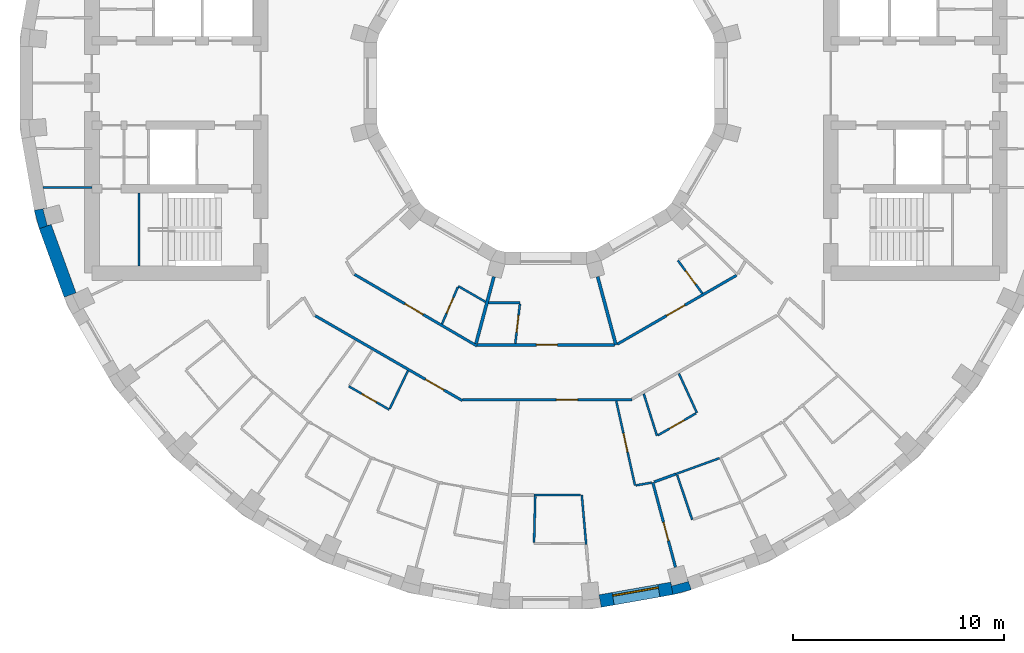
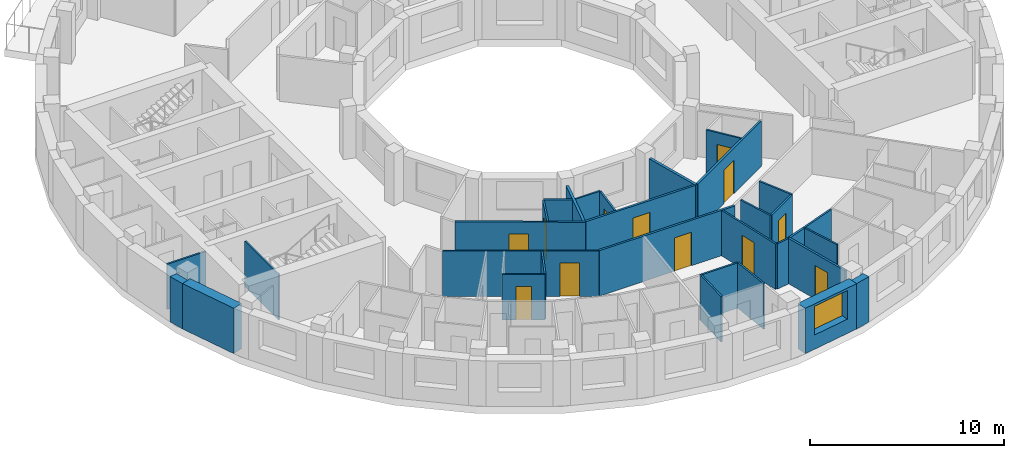
# One storey, part 5 of 14: 32 walls, 12 doors, 1 window, 13 openings.
"""IFC4 building model written with IfcOpenShell, lengths in metres."""

from ifc_helpers import new_model, si_unit, direction, frame, frame_2d, origin, place, context, subcontext, project, spatial, polyline, rectangle, outline, extrude, material, layer, layer_set, type_object, element, fill, save


model = new_model("IFC4")

# Units and contexts
model_context = context("Model", 3, precision=1e-05, world=origin(), true_north=direction((0.0, 1.0)))
body_context = subcontext(model_context, "Body", "Model", "MODEL_VIEW")
ifc_project = project(units=[si_unit("LENGTHUNIT", "METRE"), si_unit("AREAUNIT", "SQUARE_METRE"), si_unit("VOLUMEUNIT", "CUBIC_METRE"), si_unit("PLANEANGLEUNIT", "RADIAN"), si_unit("MASSUNIT", "GRAM", prefix="KILO")], contexts=[model_context])

# Site, building, storey
site_placement = place(None, origin())
site = spatial("IfcSite", under=ifc_project, at=site_placement, CompositionType="ELEMENT")
building_placement = place(site_placement, origin())
building = spatial("IfcBuilding", under=site, at=building_placement, Name="Saqina Gate Tower", CompositionType="ELEMENT")
storey_placement = place(building_placement, frame((0.0, 0.0, 210.300048828125)))
storey = spatial("IfcBuildingStorey", under=building, at=storey_placement, Name="L60", CompositionType="ELEMENT", Elevation=210.300048828125)

# Walls
ifc_material_1 = material(Name="Brick masonry (buff)", Category="masonry")
wall_type_1 = type_object("IfcWallType", Name="BRICK PIER COPING BUFF", PredefinedType="SOLIDWALL", material=ifc_material_1)
wall_1_placement = place(storey_placement, origin())
element("IfcWall", 1, at=wall_1_placement, inside=storey, type_object=wall_type_1, Name="Pier cap L60 column 20", PredefinedType="SOLIDWALL", context=body_context, shape_type="SweptSolid", body=[
    extrude(outline(polyline([(-24.22705078125, -6.0234375), (-23.992919921875, -6.897216796875), (-23.428955078125, -6.69189453125), (-23.610107421875, -6.740478515625), (-23.81689453125, -5.967529296875), (-23.635986328125, -5.919189453125), (-24.22705078125, -6.0234375)])), origin(), (0.0, 0.0, 1.0), 2.849853515625),
])
wall_2_placement = place(storey_placement, origin())
element("IfcWall", 2, at=wall_2_placement, inside=storey, type_object=wall_type_1, Name="Pier cap L60 column 29", PredefinedType="SOLIDWALL", context=body_context, shape_type="SweptSolid", body=[
    extrude(outline(polyline([(6.0234375, -24.22705078125), (6.897216796875, -23.992919921875), (6.69189453125, -23.428955078125), (6.740478515625, -23.610107421875), (5.967529296875, -23.81689453125), (5.919189453125, -23.635986328125), (6.0234375, -24.22705078125)])), origin(), (0.0, 0.0, 1.0), 2.849853515625),
])
ifc_material_2 = material(Name="Gypsum board on steel studs", Category="steel")
ifc_layer_1 = layer(ifc_material_2, 0.10009765625)
ifc_layer_set_1 = layer_set([ifc_layer_1], Name="CORE PARTITION")
wall_type_2 = type_object("IfcWallType", Name="CORE PARTITION", PredefinedType="PARTITIONING", material=ifc_layer_set_1)
wall_3_placement = place(storey_placement, frame((-21.5, -4.949951171875, 0.0), z_axis=(0.0, 0.0, 1.0), x_axis=(-1.0, 0.0, 0.0)))
element("IfcWall", 3, at=wall_3_placement, inside=storey, type_object=wall_type_2, Name="L60-CP-W03", PredefinedType="PARTITIONING", context=body_context, shape_type="SweptSolid", body=[
    extrude(rectangle(XDim=2.306884765625, YDim=0.10009765625, at=frame_2d((1.1533203125, 0.0))), origin(), (0.0, 0.0, 1.0), 2.849853515625),
])

# Wall, opening, window
ifc_material_3 = material(Name="Brick masonry (buff)", Category="masonry")
ifc_layer_2 = layer(ifc_material_3, 0.60009765625)
ifc_layer_set_2 = layer_set([ifc_layer_2], Name="FW-BRICK-BUFF")
wall_type_3 = type_object("IfcWallType", Name="FW-BRICK-BUFF", PredefinedType="SOLIDWALL", material=ifc_layer_set_2)
wall_4_placement = place(storey_placement, frame((2.573974609375, -24.530517578125, 0.0), z_axis=(0.0, 0.0, 1.0), x_axis=(0.984814892183, 0.173607684551, 0.0)))
wall_4 = element("IfcWall", 4, at=wall_4_placement, inside=storey, type_object=wall_type_3, Name="Facade wall L60 facet 28", PredefinedType="SOLIDWALL", context=body_context, shape_type="SweptSolid", body=[
    extrude(rectangle(XDim=3.44970703125, YDim=0.60009765625, at=frame_2d((1.724853515625, 0.0))), origin(), (0.0, 0.0, 1.0), 2.849853515625),
])
opening_1_placement = place(wall_4_placement, frame((0.625, 0.0, 0.89990234375)))
opening_1 = element("IfcOpeningElement", 5, at=opening_1_placement, cuts=wall_4, Name="Opening G18-W17", PredefinedType="OPENING", context=body_context, shape_type="SweptSolid", body=[
    extrude(rectangle(XDim=2.199951171875, YDim=1.800048828125, at=frame_2d((1.10009765625, 0.89990234375))), frame((0.0, 0.31201171875, 0.0), z_axis=(0.0, -1.0, 0.0), x_axis=(1.0, 0.0, 0.0)), (0.0, 0.0, 1.0), 0.6240234375),
])
ifc_material_4 = material(Name="Aluminium glazing", Category="aluminium")
window_type = type_object("IfcWindowType", Name="WN-C", PartitioningType="SINGLE_PANEL", PredefinedType="WINDOW", material=ifc_material_4)
window_placement = place(opening_1_placement, origin())
window = element("IfcWindow", 6, at=window_placement, inside=storey, type_object=window_type, Name="Window L60 facet 28", OverallHeight=1.800048828125, OverallWidth=2.199951171875, PartitioningType="SINGLE_PANEL", PredefinedType="WINDOW", context=body_context, shape_type="SweptSolid", body=[
    extrude(rectangle(XDim=2.199951171875, YDim=1.800048828125, at=frame_2d((1.10009765625, 0.89990234375))), frame((0.0, 0.179931640625, 0.0), z_axis=(0.0, -1.0, 0.0), x_axis=(1.0, 0.0, 0.0)), (0.0, 0.0, 1.0), 0.06005859375),
])
fill(opening_1, window)

# Walls
ifc_material_5 = material(Name="Glazed ceramic tile (white)", Category="ceramic")
ifc_layer_3 = layer(ifc_material_5, 0.60009765625)
ifc_layer_set_3 = layer_set([ifc_layer_3], Name="FW-TILE-WH")
wall_type_4 = type_object("IfcWallType", Name="FW-TILE-WH", PredefinedType="SOLIDWALL", material=ifc_layer_set_3)
wall_5_placement = place(storey_placement, frame((-23.7109375, -6.79443359375, 0.0), z_axis=(0.0, 0.0, 1.0), x_axis=(0.342032843455, -0.93968799822, 0.0)))
element("IfcWall", 7, at=wall_5_placement, inside=storey, type_object=wall_type_4, Name="Facade wall L60 facet 20", PredefinedType="SOLIDWALL", context=body_context, shape_type="SweptSolid", body=[
    extrude(rectangle(XDim=3.44970703125, YDim=0.60009765625, at=frame_2d((1.724853515625, 0.0))), origin(), (0.0, 0.0, 1.0), 2.849853515625),
])
ifc_material_6 = material(Name="Gypsum board on steel studs, 100 mm", Category="steel")
ifc_layer_4 = layer(ifc_material_6, 0.10009765625)
ifc_layer_set_4 = layer_set([ifc_layer_4], Name="PARTITION 100")
wall_type_5 = type_object("IfcWallType", Name="PARTITION 100", PredefinedType="PARTITIONING", material=ifc_layer_set_4)
wall_6_placement = place(storey_placement, frame((1.705078125, -19.505126953125, 0.0), z_axis=(0.0, 0.0, 1.0), x_axis=(0.087875685813, -0.996131449078, 0.0)))
element("IfcWall", 8, at=wall_6_placement, inside=storey, type_object=wall_type_5, Name="PARTITION PW3-01", PredefinedType="PARTITIONING", context=body_context, shape_type="SweptSolid", body=[
    extrude(rectangle(XDim=2.358642578125, YDim=0.10009765625, at=frame_2d((1.17919921875, 0.0))), origin(), (0.0, 0.0, 1.0), 2.849853515625),
])

# Wall, opening, door
wall_7_placement = place(storey_placement, frame((3.33837890625, -15.06103515625, 0.0), z_axis=(0.0, 0.0, 1.0), x_axis=(0.216772684832, -0.976222107469, 0.0)))
wall_7 = element("IfcWall", 9, at=wall_7_placement, inside=storey, type_object=wall_type_5, Name="PARTITION PW3-03", PredefinedType="PARTITIONING", context=body_context, shape_type="SweptSolid", body=[
    extrude(rectangle(XDim=4.09619140625, YDim=0.10009765625, at=frame_2d((2.048095703125, 0.0))), origin(), (0.0, 0.0, 1.0), 2.849853515625),
])
opening_2_placement = place(wall_7_placement, frame((1.56640625, 0.0, 0.0)))
opening_2 = element("IfcOpeningElement", 10, at=opening_2_placement, cuts=wall_7, Name="Opening G18-D46", PredefinedType="OPENING", context=body_context, shape_type="SweptSolid", body=[
    extrude(rectangle(XDim=0.89990234375, YDim=2.10009765625, at=frame_2d((0.449951171875, 1.050048828125))), frame((0.0, 0.06201171875, 0.0), z_axis=(0.0, -1.0, 0.0), x_axis=(1.0, 0.0, 0.0)), (0.0, 0.0, 1.0), 0.1240234375),
])
ifc_material_7 = material(Name="Timber door leaf, 900 mm", Category="wood")
door_type_1 = type_object("IfcDoorType", Name="DOOR 900 TIMBER", OperationType="SINGLE_SWING_LEFT", PredefinedType="DOOR", material=ifc_material_7)
door_1_placement = place(opening_2_placement, frame((0.89990234375, 0.0, 0.0), z_axis=(0.0, 0.0, 1.0), x_axis=(-1.0, 0.0, 0.0)))
door_1 = element("IfcDoor", 11, at=door_1_placement, inside=storey, type_object=door_type_1, Name="DOOR G18-D46", OperationType="SINGLE_SWING_RIGHT", OverallHeight=2.10009765625, OverallWidth=0.89990234375, PredefinedType="DOOR", context=body_context, shape_type="SweptSolid", body=[
    extrude(rectangle(XDim=0.89990234375, YDim=2.10009765625, at=frame_2d((0.449951171875, 1.050048828125))), frame((0.0, 0.02490234375, 0.0), z_axis=(0.0, -1.0, 0.0), x_axis=(1.0, 0.0, 0.0)), (0.0, 0.0, 1.0), 0.050048828125),
])
fill(opening_2, door_1)

# Walls
wall_8_placement = place(storey_placement, frame((4.638916015625, -14.712646484375, 0.0), z_axis=(0.0, 0.0, 1.0), x_axis=(0.300689491928, -0.953722092354, 0.0)))
element("IfcWall", 12, at=wall_8_placement, inside=storey, type_object=wall_type_5, Name="PARTITION PW3-05", PredefinedType="PARTITIONING", context=body_context, shape_type="SweptSolid", body=[
    extrude(rectangle(XDim=2.089111328125, YDim=0.10009765625, at=frame_2d((1.04443359375, 0.0))), origin(), (0.0, 0.0, 1.0), 2.849853515625),
])
wall_9_placement = place(storey_placement, frame((6.222900390625, -18.558349609375, 0.0), z_axis=(0.0, 0.0, 1.0), x_axis=(0.318223462583, -0.948015731864, 0.0)))
element("IfcWall", 13, at=wall_9_placement, inside=storey, type_object=wall_type_5, Name="PARTITION PW3-06", PredefinedType="PARTITIONING", context=body_context, shape_type="SweptSolid", body=[
    extrude(rectangle(XDim=2.238037109375, YDim=0.10009765625, at=frame_2d((1.119140625, 0.0))), origin(), (0.0, 0.0, 1.0), 2.849853515625),
])
wall_10_placement = place(storey_placement, frame((6.303955078125, -13.7529296875, 0.0), z_axis=(0.0, 0.0, 1.0), x_axis=(0.41684777826, -0.90897630869, 0.0)))
element("IfcWall", 14, at=wall_10_placement, inside=storey, type_object=wall_type_5, Name="PARTITION PW3-08", PredefinedType="PARTITIONING", context=body_context, shape_type="SweptSolid", body=[
    extrude(rectangle(XDim=2.04638671875, YDim=0.10009765625, at=frame_2d((1.023193359375, 0.0))), origin(), (0.0, 0.0, 1.0), 2.849853515625),
])

# Wall, opening, door
wall_11_placement = place(storey_placement, frame((6.2548828125, -8.39697265625, 0.0), z_axis=(0.0, 0.0, 1.0), x_axis=(0.597394562497, -0.801947465049, 0.0)))
wall_11 = element("IfcWall", 15, at=wall_11_placement, inside=storey, type_object=wall_type_5, Name="PARTITION PW3-13", PredefinedType="PARTITIONING", context=body_context, shape_type="SweptSolid", body=[
    extrude(rectangle(XDim=1.951416015625, YDim=0.10009765625, at=frame_2d((0.9755859375, 0.0))), origin(), (0.0, 0.0, 1.0), 2.849853515625),
])
opening_3_placement = place(wall_11_placement, frame((0.60693359375, 0.0, 0.0)))
opening_3 = element("IfcOpeningElement", 16, at=opening_3_placement, cuts=wall_11, Name="Opening G18-D53", PredefinedType="OPENING", context=body_context, shape_type="SweptSolid", body=[
    extrude(rectangle(XDim=0.800048828125, YDim=2.10009765625, at=frame_2d((0.39990234375, 1.050048828125))), frame((0.0, 0.06201171875, 0.0), z_axis=(0.0, -1.0, 0.0), x_axis=(1.0, 0.0, 0.0)), (0.0, 0.0, 1.0), 0.1240234375),
])
ifc_material_8 = material(Name="Timber door leaf, 800 mm", Category="wood")
door_type_2 = type_object("IfcDoorType", Name="DOOR 800 TIMBER", OperationType="SINGLE_SWING_LEFT", PredefinedType="DOOR", material=ifc_material_8)
door_2_placement = place(opening_3_placement, frame((0.800048828125, 0.0, 0.0), z_axis=(0.0, 0.0, 1.0), x_axis=(-1.0, 0.0, 0.0)))
door_2 = element("IfcDoor", 17, at=door_2_placement, inside=storey, type_object=door_type_2, Name="DOOR G18-D53", OperationType="SINGLE_SWING_LEFT", OverallHeight=2.10009765625, OverallWidth=0.800048828125, PredefinedType="DOOR", context=body_context, shape_type="SweptSolid", body=[
    extrude(rectangle(XDim=0.800048828125, YDim=2.10009765625, at=frame_2d((0.39990234375, 1.050048828125))), frame((0.0, 0.02490234375, 0.0), z_axis=(0.0, -1.0, 0.0), x_axis=(1.0, 0.0, 0.0)), (0.0, 0.0, 1.0), 0.050048828125),
])
fill(opening_3, door_2)

wall_12_placement = place(storey_placement, frame((-9.325927734375, -14.361083984375, 0.0), z_axis=(0.0, 0.0, 1.0), x_axis=(0.866099077695, -0.499872371326, 0.0)))
wall_12 = element("IfcWall", 18, at=wall_12_placement, inside=storey, type_object=wall_type_5, Name="PARTITION PW3-27", PredefinedType="PARTITIONING", context=body_context, shape_type="SweptSolid", body=[
    extrude(rectangle(XDim=2.20849609375, YDim=0.10009765625, at=frame_2d((1.104248046875, 0.0))), origin(), (0.0, 0.0, 1.0), 2.849853515625),
])
opening_4_placement = place(wall_12_placement, frame((0.704345703125, 0.0, 0.0)))
opening_4 = element("IfcOpeningElement", 19, at=opening_4_placement, cuts=wall_12, Name="Opening G18-D33", PredefinedType="OPENING", context=body_context, shape_type="SweptSolid", body=[
    extrude(rectangle(XDim=0.800048828125, YDim=2.10009765625, at=frame_2d((0.39990234375, 1.050048828125))), frame((0.0, 0.06201171875, 0.0), z_axis=(0.0, -1.0, 0.0), x_axis=(1.0, 0.0, 0.0)), (0.0, 0.0, 1.0), 0.1240234375),
])
door_3_placement = place(opening_4_placement, frame((0.800048828125, 0.0, 0.0), z_axis=(0.0, 0.0, 1.0), x_axis=(-1.0, 0.0, 0.0)))
door_3 = element("IfcDoor", 20, at=door_3_placement, inside=storey, type_object=door_type_2, Name="DOOR G18-D33", OperationType="SINGLE_SWING_LEFT", OverallHeight=2.10009765625, OverallWidth=0.800048828125, PredefinedType="DOOR", context=body_context, shape_type="SweptSolid", body=[
    extrude(rectangle(XDim=0.800048828125, YDim=2.10009765625, at=frame_2d((0.39990234375, 1.050048828125))), frame((0.0, 0.02490234375, 0.0), z_axis=(0.0, -1.0, 0.0), x_axis=(1.0, 0.0, 0.0)), (0.0, 0.0, 1.0), 0.050048828125),
])
fill(opening_4, door_3)

# Walls
wall_13_placement = place(storey_placement, frame((-4.14501953125, -9.615966796875, 0.0), z_axis=(0.0, 0.0, 1.0), x_axis=(0.866000409959, -0.500043288077, 0.0)))
element("IfcWall", 21, at=wall_13_placement, inside=storey, type_object=wall_type_5, Name="PARTITION PW3-28", PredefinedType="PARTITIONING", context=body_context, shape_type="SweptSolid", body=[
    extrude(rectangle(XDim=1.492919921875, YDim=0.10009765625, at=frame_2d((0.74658203125, 0.0))), origin(), (0.0, 0.0, 1.0), 2.849853515625),
])
wall_14_placement = place(storey_placement, frame((-0.548095703125, -19.5048828125, 0.0), z_axis=(0.0, 0.0, 1.0), x_axis=(1.0, 0.0, 0.0)))
element("IfcWall", 22, at=wall_14_placement, inside=storey, type_object=wall_type_5, Name="PARTITION PW3-43", PredefinedType="PARTITIONING", context=body_context, shape_type="SweptSolid", body=[
    extrude(rectangle(XDim=2.2021484375, YDim=0.10009765625, at=frame_2d((1.10107421875, 0.0))), origin(), (0.0, 0.0, 1.0), 2.849853515625),
])
wall_15_placement = place(storey_placement, frame((-2.7119140625, -10.39990234375, 0.0), z_axis=(0.0, 0.0, 1.0), x_axis=(1.0, 0.0, 0.0)))
element("IfcWall", 23, at=wall_15_placement, inside=storey, type_object=wall_type_5, Name="PARTITION PW3-44", PredefinedType="PARTITIONING", context=body_context, shape_type="SweptSolid", body=[
    extrude(rectangle(XDim=1.492919921875, YDim=0.10009765625, at=frame_2d((0.74658203125, 0.0))), origin(), (0.0, 0.0, 1.0), 2.849853515625),
])
wall_16_placement = place(storey_placement, frame((4.2763671875, -19.051513671875, 0.0), z_axis=(0.0, 0.0, 1.0), x_axis=(0.984820011125, 0.173578644101, 0.0)))
element("IfcWall", 24, at=wall_16_placement, inside=storey, type_object=wall_type_5, Name="PARTITION PW3-48", PredefinedType="PARTITIONING", context=body_context, shape_type="SweptSolid", body=[
    extrude(rectangle(XDim=0.7412109375, YDim=0.10009765625, at=frame_2d((0.37060546875, 0.0))), origin(), (0.0, 0.0, 1.0), 2.849853515625),
])
wall_17_placement = place(storey_placement, frame((6.156005859375, -18.51611328125, 0.0), z_axis=(0.0, 0.0, 1.0), x_axis=(0.939728749343, 0.341920864613, 0.0)))
element("IfcWall", 25, at=wall_17_placement, inside=storey, type_object=wall_type_5, Name="PARTITION PW3-51", PredefinedType="PARTITIONING", context=body_context, shape_type="SweptSolid", body=[
    extrude(rectangle(XDim=2.204833984375, YDim=0.10009765625, at=frame_2d((1.1025390625, 0.0))), origin(), (0.0, 0.0, 1.0), 2.849853515625),
])

# Wall, opening, door
wall_18_placement = place(storey_placement, frame((5.310302734375, -16.679931640625, 0.0), z_axis=(0.0, 0.0, 1.0), x_axis=(0.865867329874, 0.500273692149, 0.0)))
wall_18 = element("IfcWall", 26, at=wall_18_placement, inside=storey, type_object=wall_type_5, Name="PARTITION PW3-57", PredefinedType="PARTITIONING", context=body_context, shape_type="SweptSolid", body=[
    extrude(rectangle(XDim=2.082763671875, YDim=0.10009765625, at=frame_2d((1.04150390625, 0.0))), origin(), (0.0, 0.0, 1.0), 2.849853515625),
])
opening_5_placement = place(wall_18_placement, frame((0.641357421875, 0.0, 0.0)))
opening_5 = element("IfcOpeningElement", 27, at=opening_5_placement, cuts=wall_18, Name="Opening G18-D48", PredefinedType="OPENING", context=body_context, shape_type="SweptSolid", body=[
    extrude(rectangle(XDim=0.800048828125, YDim=2.10009765625, at=frame_2d((0.39990234375, 1.050048828125))), frame((0.0, 0.06201171875, 0.0), z_axis=(0.0, -1.0, 0.0), x_axis=(1.0, 0.0, 0.0)), (0.0, 0.0, 1.0), 0.1240234375),
])
door_4_placement = place(opening_5_placement, frame((0.800048828125, 0.0, 0.0), z_axis=(0.0, 0.0, 1.0), x_axis=(-1.0, 0.0, 0.0)))
door_4 = element("IfcDoor", 28, at=door_4_placement, inside=storey, type_object=door_type_2, Name="DOOR G18-D48", OperationType="SINGLE_SWING_LEFT", OverallHeight=2.10009765625, OverallWidth=0.800048828125, PredefinedType="DOOR", context=body_context, shape_type="SweptSolid", body=[
    extrude(rectangle(XDim=0.800048828125, YDim=2.10009765625, at=frame_2d((0.39990234375, 1.050048828125))), frame((0.0, 0.02490234375, 0.0), z_axis=(0.0, -1.0, 0.0), x_axis=(1.0, 0.0, 0.0)), (0.0, 0.0, 1.0), 0.050048828125),
])
fill(opening_5, door_4)

# Wall
wall_19_placement = place(storey_placement, frame((-7.391357421875, -15.419921875, 0.0), z_axis=(0.0, 0.0, 1.0), x_axis=(0.432109804396, 0.901821000501, 0.0)))
element("IfcWall", 29, at=wall_19_placement, inside=storey, type_object=wall_type_5, Name="PARTITION PW3-78", PredefinedType="PARTITIONING", context=body_context, shape_type="SweptSolid", body=[
    extrude(rectangle(XDim=1.993408203125, YDim=0.10009765625, at=frame_2d((0.99658203125, 0.0))), origin(), (0.0, 0.0, 1.0), 2.849853515625),
])

# Wall, opening, door
wall_20_placement = place(storey_placement, frame((-4.917236328125, -11.40771484375, 0.0), z_axis=(0.0, 0.0, 1.0), x_axis=(0.395793869696, 0.918339377742, 0.0)))
wall_20 = element("IfcWall", 30, at=wall_20_placement, inside=storey, type_object=wall_type_5, Name="PARTITION PW3-81", PredefinedType="PARTITIONING", context=body_context, shape_type="SweptSolid", body=[
    extrude(rectangle(XDim=1.901123046875, YDim=0.10009765625, at=frame_2d((0.95068359375, 0.0))), origin(), (0.0, 0.0, 1.0), 2.849853515625),
])
opening_6_placement = place(wall_20_placement, frame((0.544189453125, 0.0, 0.0)))
opening_6 = element("IfcOpeningElement", 31, at=opening_6_placement, cuts=wall_20, Name="Opening G18-D35", PredefinedType="OPENING", context=body_context, shape_type="SweptSolid", body=[
    extrude(rectangle(XDim=0.800048828125, YDim=2.10009765625, at=frame_2d((0.39990234375, 1.050048828125))), frame((0.0, 0.06201171875, 0.0), z_axis=(0.0, -1.0, 0.0), x_axis=(1.0, 0.0, 0.0)), (0.0, 0.0, 1.0), 0.1240234375),
])
door_5_placement = place(opening_6_placement, origin())
door_5 = element("IfcDoor", 32, at=door_5_placement, inside=storey, type_object=door_type_2, Name="DOOR G18-D35", OperationType="SINGLE_SWING_LEFT", OverallHeight=2.10009765625, OverallWidth=0.800048828125, PredefinedType="DOOR", context=body_context, shape_type="SweptSolid", body=[
    extrude(rectangle(XDim=0.800048828125, YDim=2.10009765625, at=frame_2d((0.39990234375, 1.050048828125))), frame((0.0, 0.02490234375, 0.0), z_axis=(0.0, -1.0, 0.0), x_axis=(1.0, 0.0, 0.0)), (0.0, 0.0, 1.0), 0.050048828125),
])
fill(opening_6, door_5)

wall_21_placement = place(storey_placement, frame((-1.44580078125, -12.337890625, 0.0), z_axis=(0.0, 0.0, 1.0), x_axis=(0.116222778511, 0.993223170166, 0.0)))
wall_21 = element("IfcWall", 33, at=wall_21_placement, inside=storey, type_object=wall_type_5, Name="PARTITION PW3-90", PredefinedType="PARTITIONING", context=body_context, shape_type="SweptSolid", body=[
    extrude(rectangle(XDim=1.901123046875, YDim=0.10009765625, at=frame_2d((0.95068359375, 0.0))), origin(), (0.0, 0.0, 1.0), 2.849853515625),
])
opening_7_placement = place(wall_21_placement, frame((0.544189453125, 0.0, 0.0)))
opening_7 = element("IfcOpeningElement", 34, at=opening_7_placement, cuts=wall_21, Name="Opening G18-D41", PredefinedType="OPENING", context=body_context, shape_type="SweptSolid", body=[
    extrude(rectangle(XDim=0.800048828125, YDim=2.10009765625, at=frame_2d((0.39990234375, 1.050048828125))), frame((0.0, 0.06201171875, 0.0), z_axis=(0.0, -1.0, 0.0), x_axis=(1.0, 0.0, 0.0)), (0.0, 0.0, 1.0), 0.1240234375),
])
door_6_placement = place(opening_7_placement, frame((0.800048828125, 0.0, 0.0), z_axis=(0.0, 0.0, 1.0), x_axis=(-1.0, 0.0, 0.0)))
door_6 = element("IfcDoor", 35, at=door_6_placement, inside=storey, type_object=door_type_2, Name="DOOR G18-D41", OperationType="SINGLE_SWING_RIGHT", OverallHeight=2.10009765625, OverallWidth=0.800048828125, PredefinedType="DOOR", context=body_context, shape_type="SweptSolid", body=[
    extrude(rectangle(XDim=0.800048828125, YDim=2.10009765625, at=frame_2d((0.39990234375, 1.050048828125))), frame((0.0, 0.02490234375, 0.0), z_axis=(0.0, -1.0, 0.0), x_axis=(1.0, 0.0, 0.0)), (0.0, 0.0, 1.0), 0.050048828125),
])
fill(opening_7, door_6)

# Wall
wall_22_placement = place(storey_placement, frame((-0.5556640625, -21.755126953125, 0.0), z_axis=(0.0, 0.0, 1.0), x_axis=(0.025658328011, 0.999670770906, 0.0)))
element("IfcWall", 36, at=wall_22_placement, inside=storey, type_object=wall_type_5, Name="PARTITION PW3-92", PredefinedType="PARTITIONING", context=body_context, shape_type="SweptSolid", body=[
    extrude(rectangle(XDim=2.1884765625, YDim=0.10009765625, at=frame_2d((1.09423828125, 0.0))), origin(), (0.0, 0.0, 1.0), 2.849853515625),
])

# Wall, opening, door
ifc_material_9 = material(Name="Gypsum board on steel studs, 125 mm, fire rated", Category="steel")
ifc_layer_5 = layer(ifc_material_9, 0.125)
ifc_layer_set_5 = layer_set([ifc_layer_5], Name="PARTITION EI 30 125")
wall_type_6 = type_object("IfcWallType", Name="PARTITION EI 30 125", PredefinedType="PARTITIONING", material=ifc_layer_set_5)
wall_23_placement = place(storey_placement, frame((5.068115234375, -18.912109375, 0.0), z_axis=(0.0, 0.0, 1.0), x_axis=(0.258780082079, -0.965936265557, 0.0)))
wall_23 = element("IfcWall", 37, at=wall_23_placement, inside=storey, type_object=wall_type_6, Name="PARTITION PW1-03", PredefinedType="PARTITIONING", context=body_context, shape_type="SweptSolid", body=[
    extrude(rectangle(XDim=4.160400390625, YDim=0.125, at=frame_2d((2.080078125, 0.0))), origin(), (0.0, 0.0, 1.0), 2.849853515625),
])
opening_8_placement = place(wall_23_placement, frame((1.958984375, 0.0, 0.0)))
opening_8 = element("IfcOpeningElement", 38, at=opening_8_placement, cuts=wall_23, Name="Opening G18-D47", PredefinedType="OPENING", context=body_context, shape_type="SweptSolid", body=[
    extrude(rectangle(XDim=0.89990234375, YDim=2.10009765625, at=frame_2d((0.449951171875, 1.050048828125))), frame((0.0, 0.074462890625, 0.0), z_axis=(0.0, -1.0, 0.0), x_axis=(1.0, 0.0, 0.0)), (0.0, 0.0, 1.0), 0.14892578125),
])
ifc_material_10 = material(Name="Fire door leaf EI 30, 900 mm")
door_type_3 = type_object("IfcDoorType", Name="DOOR 900 EI 30", OperationType="SINGLE_SWING_LEFT", PredefinedType="DOOR", material=ifc_material_10)
door_7_placement = place(opening_8_placement, frame((0.89990234375, 0.0, 0.0), z_axis=(0.0, 0.0, 1.0), x_axis=(-1.0, 0.0, 0.0)))
door_7 = element("IfcDoor", 39, at=door_7_placement, inside=storey, type_object=door_type_3, Name="DOOR G18-D47", OperationType="SINGLE_SWING_LEFT", OverallHeight=2.10009765625, OverallWidth=0.89990234375, PredefinedType="DOOR", context=body_context, shape_type="SweptSolid", body=[
    extrude(rectangle(XDim=0.89990234375, YDim=2.10009765625, at=frame_2d((0.449951171875, 1.050048828125))), frame((0.0, 0.02490234375, 0.0), z_axis=(0.0, -1.0, 0.0), x_axis=(1.0, 0.0, 0.0)), (0.0, 0.0, 1.0), 0.050048828125),
])
fill(opening_8, door_7)

wall_24_placement = place(storey_placement, frame((-9.064453125, -9.0556640625, 0.0), z_axis=(0.0, 0.0, 1.0), x_axis=(0.863361054342, -0.504586652464, 0.0)))
wall_24 = element("IfcWall", 40, at=wall_24_placement, inside=storey, type_object=wall_type_6, Name="PARTITION PW1-17", PredefinedType="PARTITIONING", context=body_context, shape_type="SweptSolid", body=[
    extrude(rectangle(XDim=6.722412109375, YDim=0.125, at=frame_2d((3.361328125, 0.0))), origin(), (0.0, 0.0, 1.0), 2.849853515625),
])
opening_9_placement = place(wall_24_placement, frame((2.771484375, 0.0, 0.0)))
opening_9 = element("IfcOpeningElement", 41, at=opening_9_placement, cuts=wall_24, Name="Opening G18-D32", PredefinedType="OPENING", context=body_context, shape_type="SweptSolid", body=[
    extrude(rectangle(XDim=1.0, YDim=2.10009765625, at=frame_2d((0.5, 1.050048828125))), frame((0.0, 0.074462890625, 0.0), z_axis=(0.0, -1.0, 0.0), x_axis=(1.0, 0.0, 0.0)), (0.0, 0.0, 1.0), 0.14892578125),
])
ifc_material_11 = material(Name="Fire door leaf EI 30, 1000 mm")
door_type_4 = type_object("IfcDoorType", Name="DOOR 1000 EI 30", OperationType="SINGLE_SWING_LEFT", PredefinedType="DOOR", material=ifc_material_11)
door_8_placement = place(opening_9_placement, origin())
door_8 = element("IfcDoor", 42, at=door_8_placement, inside=storey, type_object=door_type_4, Name="DOOR G18-D32", OperationType="SINGLE_SWING_LEFT", OverallHeight=2.10009765625, OverallWidth=1.0, PredefinedType="DOOR", context=body_context, shape_type="SweptSolid", body=[
    extrude(rectangle(XDim=1.0, YDim=2.10009765625, at=frame_2d((0.5, 1.050048828125))), frame((0.0, 0.02490234375, 0.0), z_axis=(0.0, -1.0, 0.0), x_axis=(1.0, 0.0, 0.0)), (0.0, 0.0, 1.0), 0.050048828125),
])
fill(opening_9, door_8)

wall_25_placement = place(storey_placement, frame((-10.9267578125, -11.01220703125, 0.0), z_axis=(0.0, 0.0, 1.0), x_axis=(0.866043138087, -0.49996928203, 0.0)))
wall_25 = element("IfcWall", 43, at=wall_25_placement, inside=storey, type_object=wall_type_6, Name="PARTITION PW1-20", PredefinedType="PARTITIONING", context=body_context, shape_type="SweptSolid", body=[
    extrude(rectangle(XDim=8.04833984375, YDim=0.125, at=frame_2d((4.024169921875, 0.0))), origin(), (0.0, 0.0, 1.0), 2.849853515625),
])
opening_10_placement = place(wall_25_placement, frame((6.042236328125, 0.0, 0.0)))
opening_10 = element("IfcOpeningElement", 44, at=opening_10_placement, cuts=wall_25, Name="Opening G18-D37", PredefinedType="OPENING", context=body_context, shape_type="SweptSolid", body=[
    extrude(rectangle(XDim=1.0, YDim=2.10009765625, at=frame_2d((0.5, 1.050048828125))), frame((0.0, 0.074462890625, 0.0), z_axis=(0.0, -1.0, 0.0), x_axis=(1.0, 0.0, 0.0)), (0.0, 0.0, 1.0), 0.14892578125),
])
door_9_placement = place(opening_10_placement, frame((1.0, 0.0, 0.0), z_axis=(0.0, 0.0, 1.0), x_axis=(-1.0, 0.0, 0.0)))
door_9 = element("IfcDoor", 45, at=door_9_placement, inside=storey, type_object=door_type_4, Name="DOOR G18-D37", OperationType="SINGLE_SWING_LEFT", OverallHeight=2.10009765625, OverallWidth=1.0, PredefinedType="DOOR", context=body_context, shape_type="SweptSolid", body=[
    extrude(rectangle(XDim=1.0, YDim=2.10009765625, at=frame_2d((0.5, 1.050048828125))), frame((0.0, 0.02490234375, 0.0), z_axis=(0.0, -1.0, 0.0), x_axis=(1.0, 0.0, 0.0)), (0.0, 0.0, 1.0), 0.050048828125),
])
fill(opening_10, door_9)

wall_26_placement = place(storey_placement, frame((-3.95654296875, -15.0, 0.0), z_axis=(0.0, 0.0, 1.0), x_axis=(1.0, 0.0, 0.0)))
wall_26 = element("IfcWall", 46, at=wall_26_placement, inside=storey, type_object=wall_type_6, Name="PARTITION PW1-28", PredefinedType="PARTITIONING", context=body_context, shape_type="SweptSolid", body=[
    extrude(rectangle(XDim=8.047607421875, YDim=0.125, at=frame_2d((4.02392578125, 0.0))), origin(), (0.0, 0.0, 1.0), 2.849853515625),
])
opening_11_placement = place(wall_26_placement, frame((4.462890625, 0.0, 0.0)))
opening_11 = element("IfcOpeningElement", 47, at=opening_11_placement, cuts=wall_26, Name="Opening G18-D44", PredefinedType="OPENING", context=body_context, shape_type="SweptSolid", body=[
    extrude(rectangle(XDim=1.0, YDim=2.10009765625, at=frame_2d((0.5, 1.050048828125))), frame((0.0, 0.074462890625, 0.0), z_axis=(0.0, -1.0, 0.0), x_axis=(1.0, 0.0, 0.0)), (0.0, 0.0, 1.0), 0.14892578125),
])
door_10_placement = place(opening_11_placement, frame((1.0, 0.0, 0.0), z_axis=(0.0, 0.0, 1.0), x_axis=(-1.0, 0.0, 0.0)))
door_10 = element("IfcDoor", 48, at=door_10_placement, inside=storey, type_object=door_type_4, Name="DOOR G18-D44", OperationType="SINGLE_SWING_LEFT", OverallHeight=2.10009765625, OverallWidth=1.0, PredefinedType="DOOR", context=body_context, shape_type="SweptSolid", body=[
    extrude(rectangle(XDim=1.0, YDim=2.10009765625, at=frame_2d((0.5, 1.050048828125))), frame((0.0, 0.02490234375, 0.0), z_axis=(0.0, -1.0, 0.0), x_axis=(1.0, 0.0, 0.0)), (0.0, 0.0, 1.0), 0.050048828125),
])
fill(opening_11, door_10)

wall_27_placement = place(storey_placement, frame((-3.260498046875, -12.39990234375, 0.0), z_axis=(0.0, 0.0, 1.0), x_axis=(1.0, 0.0, 0.0)))
wall_27 = element("IfcWall", 49, at=wall_27_placement, inside=storey, type_object=wall_type_6, Name="PARTITION PW1-29", PredefinedType="PARTITIONING", context=body_context, shape_type="SweptSolid", body=[
    extrude(rectangle(XDim=6.508544921875, YDim=0.125, at=frame_2d((3.25439453125, 0.0))), origin(), (0.0, 0.0, 1.0), 2.849853515625),
])
opening_12_placement = place(wall_27_placement, frame((2.81103515625, 0.0, 0.0)))
opening_12 = element("IfcOpeningElement", 50, at=opening_12_placement, cuts=wall_27, Name="Opening G18-D42", PredefinedType="OPENING", context=body_context, shape_type="SweptSolid", body=[
    extrude(rectangle(XDim=1.0, YDim=2.10009765625, at=frame_2d((0.5, 1.050048828125))), frame((0.0, 0.074462890625, 0.0), z_axis=(0.0, -1.0, 0.0), x_axis=(1.0, 0.0, 0.0)), (0.0, 0.0, 1.0), 0.14892578125),
])
door_11_placement = place(opening_12_placement, origin())
door_11 = element("IfcDoor", 51, at=door_11_placement, inside=storey, type_object=door_type_4, Name="DOOR G18-D42", OperationType="SINGLE_SWING_RIGHT", OverallHeight=2.10009765625, OverallWidth=1.0, PredefinedType="DOOR", context=body_context, shape_type="SweptSolid", body=[
    extrude(rectangle(XDim=1.0, YDim=2.10009765625, at=frame_2d((0.5, 1.050048828125))), frame((0.0, 0.02490234375, 0.0), z_axis=(0.0, -1.0, 0.0), x_axis=(1.0, 0.0, 0.0)), (0.0, 0.0, 1.0), 0.050048828125),
])
fill(opening_12, door_11)

# Wall
wall_28_placement = place(storey_placement, frame((5.126708984375, -18.890869140625, 0.0), z_axis=(0.0, 0.0, 1.0), x_axis=(0.939656692784, 0.342118838573, 0.0)))
element("IfcWall", 52, at=wall_28_placement, inside=storey, type_object=wall_type_6, Name="PARTITION PW1-33", PredefinedType="PARTITIONING", context=body_context, shape_type="SweptSolid", body=[
    extrude(rectangle(XDim=1.095458984375, YDim=0.125, at=frame_2d((0.5478515625, 0.0))), origin(), (0.0, 0.0, 1.0), 2.849853515625),
])

# Wall, opening, door
wall_29_placement = place(storey_placement, frame((3.387939453125, -12.362548828125, 0.0), z_axis=(0.0, 0.0, 1.0), x_axis=(0.865964185, 0.500106019056, 0.0)))
wall_29 = element("IfcWall", 53, at=wall_29_placement, inside=storey, type_object=wall_type_6, Name="PARTITION PW1-37", PredefinedType="PARTITIONING", context=body_context, shape_type="SweptSolid", body=[
    extrude(rectangle(XDim=6.51953125, YDim=0.125, at=frame_2d((3.259765625, 0.0))), origin(), (0.0, 0.0, 1.0), 2.849853515625),
])
opening_13_placement = place(wall_29_placement, frame((2.6962890625, 0.0, 0.0)))
opening_13 = element("IfcOpeningElement", 54, at=opening_13_placement, cuts=wall_29, Name="Opening G18-D51", PredefinedType="OPENING", context=body_context, shape_type="SweptSolid", body=[
    extrude(rectangle(XDim=1.0, YDim=2.10009765625, at=frame_2d((0.5, 1.050048828125))), frame((0.0, 0.074462890625, 0.0), z_axis=(0.0, -1.0, 0.0), x_axis=(1.0, 0.0, 0.0)), (0.0, 0.0, 1.0), 0.14892578125),
])
door_12_placement = place(opening_13_placement, origin())
door_12 = element("IfcDoor", 55, at=door_12_placement, inside=storey, type_object=door_type_4, Name="DOOR G18-D51", OperationType="SINGLE_SWING_LEFT", OverallHeight=2.10009765625, OverallWidth=1.0, PredefinedType="DOOR", context=body_context, shape_type="SweptSolid", body=[
    extrude(rectangle(XDim=1.0, YDim=2.10009765625, at=frame_2d((0.5, 1.050048828125))), frame((0.0, 0.02490234375, 0.0), z_axis=(0.0, -1.0, 0.0), x_axis=(1.0, 0.0, 0.0)), (0.0, 0.0, 1.0), 0.050048828125),
])
fill(opening_13, door_12)

# Walls
ifc_material_12 = material(Name="Gypsum board on steel studs, 150 mm, fire rated", Category="steel")
ifc_layer_6 = layer(ifc_material_12, 0.14990234375)
ifc_layer_set_6 = layer_set([ifc_layer_6], Name="PARTITION EI 60 150")
wall_type_7 = type_object("IfcWallType", Name="PARTITION EI 60 150", PredefinedType="PARTITIONING", material=ifc_layer_set_6)
wall_30_placement = place(storey_placement, frame((2.455810546875, -9.1689453125, 0.0), z_axis=(0.0, 0.0, 1.0), x_axis=(0.259224872447, -0.965816993796, 0.0)))
element("IfcWall", 56, at=wall_30_placement, inside=storey, type_object=wall_type_7, Name="PARTITION PW2-02", PredefinedType="PARTITIONING", context=body_context, shape_type="SweptSolid", body=[
    extrude(rectangle(XDim=3.34521484375, YDim=0.14990234375, at=frame_2d((1.672607421875, 0.0))), origin(), (0.0, 0.0, 1.0), 2.849853515625),
])
wall_31_placement = place(storey_placement, frame((-3.30615234375, -12.33984375, 0.0), z_axis=(0.0, 0.0, 1.0), x_axis=(0.258514270355, 0.966007438907, 0.0)))
element("IfcWall", 57, at=wall_31_placement, inside=storey, type_object=wall_type_7, Name="PARTITION PW2-05", PredefinedType="PARTITIONING", context=body_context, shape_type="SweptSolid", body=[
    extrude(rectangle(XDim=3.28271484375, YDim=0.14990234375, at=frame_2d((1.641357421875, 0.0))), origin(), (0.0, 0.0, 1.0), 2.849853515625),
])
ifc_material_13 = material(Name="Autoclaved aerated concrete block", Category="concrete")
ifc_layer_7 = layer(ifc_material_13, 0.10009765625)
ifc_layer_set_7 = layer_set([ifc_layer_7], Name="STAIR ENCLOSURE WALL")
wall_type_8 = type_object("IfcWallType", Name="STAIR ENCLOSURE WALL", PredefinedType="PARTITIONING", material=ifc_layer_set_7)
wall_32_placement = place(storey_placement, frame((-19.27001953125, -8.64990234375, 0.0), z_axis=(0.0, 0.0, 1.0), x_axis=(0.0, 1.0, 0.0)))
element("IfcWall", 58, at=wall_32_placement, inside=storey, type_object=wall_type_8, Name="L60-CP-W15", PredefinedType="PARTITIONING", context=body_context, shape_type="SweptSolid", body=[
    extrude(rectangle(XDim=3.449951171875, YDim=0.10009765625, at=frame_2d((1.72509765625, 0.0))), origin(), (0.0, 0.0, 1.0), 2.849853515625),
])

save(model, "model.ifc")
